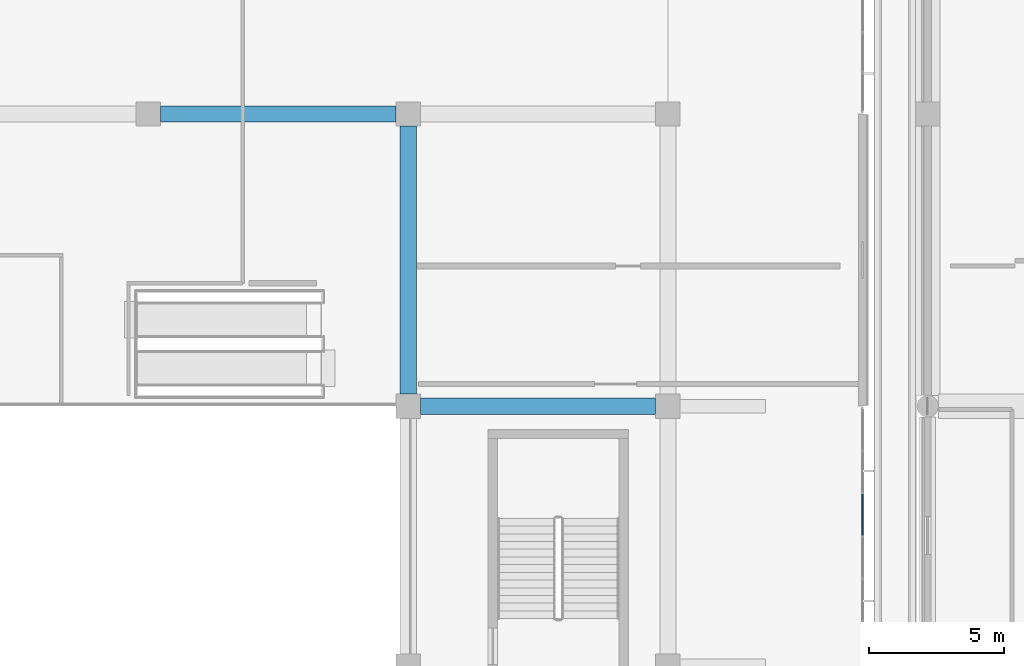
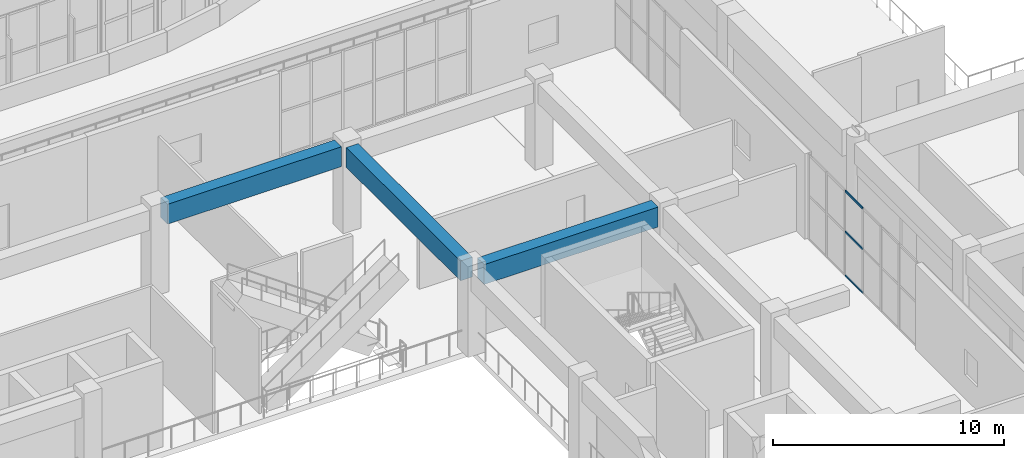
# One storey, part 13 of 96: 3 beams, 3 members, 1 element without a shape of its own.
"""IFC4 building model written with IfcOpenShell, lengths in metres."""

from ifc_helpers import new_model, si_unit, direction, frame, origin, origin_2d, place, context, subcontext, project, spatial, rectangle, extrude, material, layer, layer_set, material_profile, profile_set, type_object, element, aggregate, save


model = new_model("IFC4")

# Units and contexts
model_context = context("Model", 3, precision=1e-05, world=origin(), true_north=direction((0.0, 1.0)))
body_context = subcontext(model_context, "Body", "Model", "MODEL_VIEW")
ifc_project = project(units=[si_unit("LENGTHUNIT", "METRE"), si_unit("AREAUNIT", "SQUARE_METRE"), si_unit("VOLUMEUNIT", "CUBIC_METRE"), si_unit("PLANEANGLEUNIT", "RADIAN"), si_unit("MASSUNIT", "GRAM", prefix="KILO")], contexts=[model_context])

# Site, building, storey
site_placement = place(None, origin())
site = spatial("IfcSite", under=ifc_project, at=site_placement, CompositionType="ELEMENT")
building_placement = place(site_placement, origin())
building = spatial("IfcBuilding", under=site, at=building_placement, Name="Cendralis Terraced Arcade", CompositionType="ELEMENT")
storey_placement = place(building_placement, frame((0.0, 0.0, 10.199951171875)))
storey = spatial("IfcBuildingStorey", under=building, at=storey_placement, Name="L02", CompositionType="ELEMENT", Elevation=10.199951171875)

# Beams
ifc_material_1 = material(Name="Concrete f'c 35 MPa", Category="concrete")
ifc_material_profile_1 = material_profile(ifc_material_1, rectangle(XDim=0.60009765625, YDim=1.050048828125, at=origin_2d()), Name="RC-BM-600x1050", Category="LoadBearing")
ifc_profile_set_1 = profile_set([ifc_material_profile_1], Name="Concrete f'c 35 MPa")
beam_type = type_object("IfcBeamType", Name="BM-600x1050", PredefinedType="JOIST", material=ifc_profile_set_1)
for number, where, z_axis, x_axis, name in (
    (1, (48.449951171875, 38.39990234375, 3.989990234375), (1.0, 0.0, 0.0), (0.0, 1.0, 0.0), "Reinforced Concrete Frame Beam BM-X-L03-E-6_7"),
    (2, (38.85009765625, 49.199951171875, 3.989990234375), (1.0, 0.0, 0.0), (0.0, 1.0, 0.0), "Reinforced Concrete Frame Beam BM-X-L03-F-5_6"),
):
    element("IfcBeam", number, at=place(storey_placement, frame(where, z_axis=z_axis, x_axis=x_axis)), inside=storey, type_object=beam_type, Name=name, PredefinedType="JOIST", context=body_context, shape_type="SweptSolid", body=[
        extrude(rectangle(XDim=0.60009765625, YDim=1.050048828125, at=origin_2d()), origin(), (0.0, 0.0, 1.0), 8.699951171875),
    ])
beam_placement = place(storey_placement, frame((48.0, 38.85009765625, 3.989990234375), z_axis=(0.0, 1.0, 0.0), x_axis=(-1.0, 0.0, 0.0)))
element("IfcBeam", 3, at=beam_placement, inside=storey, type_object=beam_type, Name="Reinforced Concrete Frame Beam BM-Y-L03-6-E_F", PredefinedType="JOIST", context=body_context, shape_type="SweptSolid", body=[
    extrude(rectangle(XDim=0.60009765625, YDim=1.050048828125, at=origin_2d()), origin(), (0.0, 0.0, 1.0), 9.89990234375),
])

# Curtain wall, members
ifc_material_2 = material(Name="Anodised aluminium EN AW-6063 T6", Category="aluminium")
ifc_layer = layer(ifc_material_2, 0.1201171875, Name="CW-STORE-B")
ifc_layer_set = layer_set([ifc_layer], Name="Anodised aluminium EN AW-6063 T6")
curtain_wall_type = type_object("IfcCurtainWallType", Name="CW-STORE-B", PredefinedType="USERDEFINED", material=ifc_layer_set)
curtain_wall_placement = place(storey_placement, origin())
curtain_wall = element("IfcCurtainWall", 4, at=curtain_wall_placement, inside=storey, type_object=curtain_wall_type, Name="Exterior Storefront Glazing CW-L02-0226", ObjectType="STOREFRONT GLAZING", PredefinedType="USERDEFINED")
ifc_material_profile_2 = material_profile(ifc_material_2, rectangle(XDim=0.054931640625, YDim=0.10009765625, at=origin_2d()), Name="ALU-TRN-55x100")
ifc_profile_set_2 = profile_set([ifc_material_profile_2], Name="Anodised aluminium EN AW-6063 T6")
member_type = type_object("IfcMemberType", Name="CW-STORE-B-TRN", PredefinedType="USERDEFINED", material=ifc_profile_set_2)
member_1_placement = place(storey_placement, frame((64.800048828125, 35.142578125, 0.027587890625), z_axis=(0.0, -1.0, 0.0), x_axis=(1.0, 0.0, 0.0)))
member_1 = element("IfcMember", 5, at=member_1_placement, type_object=member_type, Name="CW-S2 transom 3.1", ObjectType="TRANSOM", PredefinedType="USERDEFINED", context=body_context, shape_type="SweptSolid", body=[
    extrude(rectangle(XDim=0.054931640625, YDim=0.10009765625, at=origin_2d()), origin(), (0.0, 0.0, 1.0), 1.51513671875),
])
member_2_placement = place(storey_placement, frame((64.800048828125, 35.142578125, 2.347900390625), z_axis=(0.0, -1.0, 0.0), x_axis=(1.0, 0.0, 0.0)))
member_2 = element("IfcMember", 6, at=member_2_placement, type_object=member_type, Name="CW-S2 transom 3.2", ObjectType="TRANSOM", PredefinedType="USERDEFINED", context=body_context, shape_type="SweptSolid", body=[
    extrude(rectangle(XDim=0.054931640625, YDim=0.10009765625, at=origin_2d()), origin(), (0.0, 0.0, 1.0), 1.51513671875),
])
member_3_placement = place(storey_placement, frame((64.800048828125, 35.142578125, 4.487548828125), z_axis=(0.0, -1.0, 0.0), x_axis=(1.0, 0.0, 0.0)))
member_3 = element("IfcMember", 7, at=member_3_placement, type_object=member_type, Name="CW-S2 transom 3.3", ObjectType="TRANSOM", PredefinedType="USERDEFINED", context=body_context, shape_type="SweptSolid", body=[
    extrude(rectangle(XDim=0.054931640625, YDim=0.10009765625, at=origin_2d()), origin(), (0.0, 0.0, 1.0), 1.51513671875),
])
aggregate(curtain_wall, [member_1, member_2, member_3])

save(model, "model.ifc")
